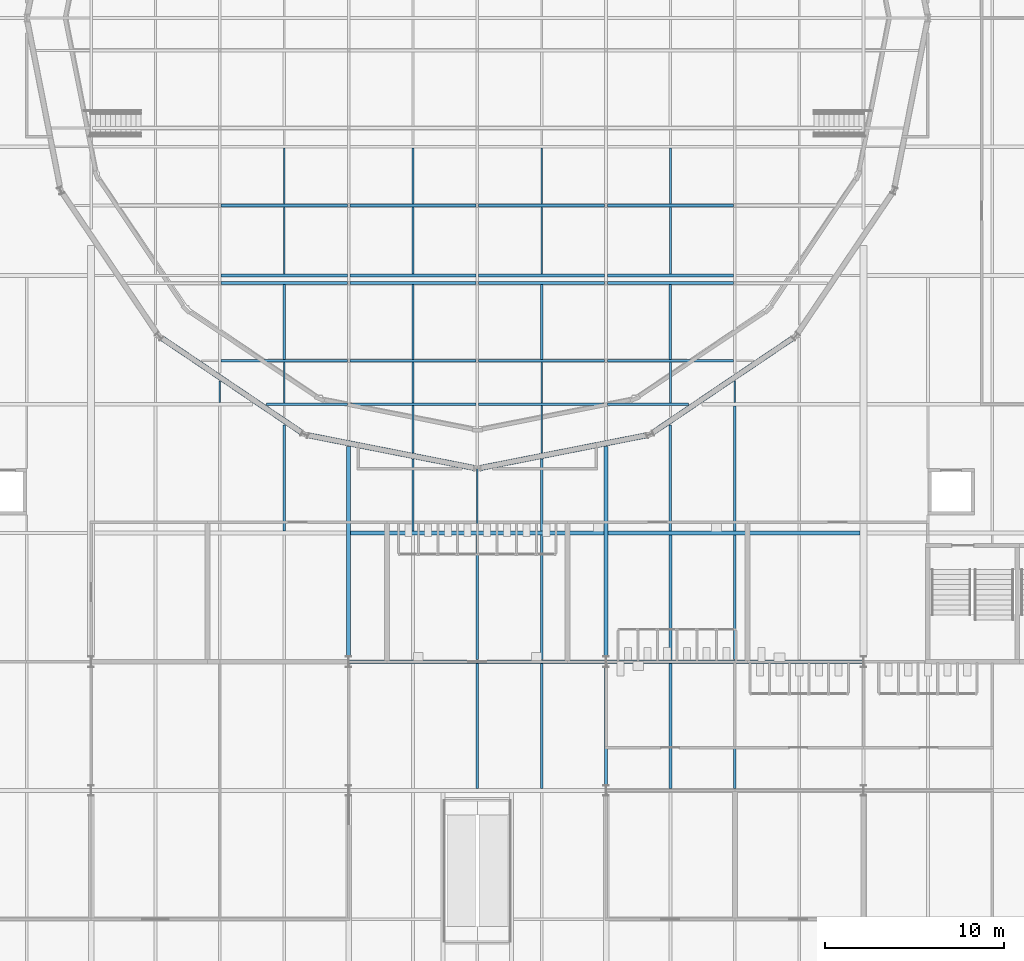
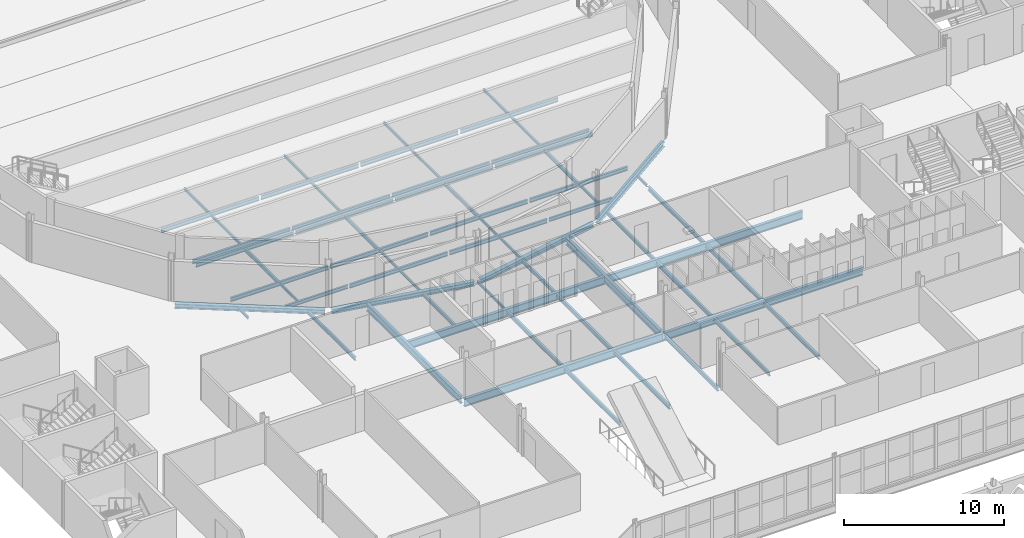
# One storey, part 30 of 90: 65 beams.
"""IFC4 building model written with IfcOpenShell, lengths in metres."""

from ifc_helpers import new_model, si_unit, direction, frame, origin, origin_2d, place, context, subcontext, project, spatial, i_section, extrude, material, material_profile, profile_set, type_object, element, save


model = new_model("IFC4")

# Units and contexts
model_context = context("Model", 3, precision=1e-05, world=origin(), true_north=direction((0.0, 1.0)))
body_context = subcontext(model_context, "Body", "Model", "MODEL_VIEW")
ifc_project = project(units=[si_unit("LENGTHUNIT", "METRE"), si_unit("AREAUNIT", "SQUARE_METRE"), si_unit("VOLUMEUNIT", "CUBIC_METRE"), si_unit("PLANEANGLEUNIT", "RADIAN"), si_unit("MASSUNIT", "GRAM", prefix="KILO")], contexts=[model_context])

# Site, building, storey
site_placement = place(None, origin())
site = spatial("IfcSite", under=ifc_project, at=site_placement, CompositionType="ELEMENT")
building_placement = place(site_placement, origin())
building = spatial("IfcBuilding", under=site, at=building_placement, Name="Kupolbacken Congress Centre", CompositionType="ELEMENT")
storey_placement = place(building_placement, frame((0.0, 0.0, 3.60009765625)))
storey = spatial("IfcBuildingStorey", under=building, at=storey_placement, Name="L01", CompositionType="ELEMENT", Elevation=3.60009765625)

# Beams
ifc_material_1 = material(Name="Steel S355", Category="steel")
ifc_material_profile_1 = material_profile(ifc_material_1, i_section(OverallWidth=0.10009765625, OverallDepth=0.199951171875, WebThickness=0.005615234375, FlangeThickness=0.008544921875, FilletRadius=0.011962890625, at=origin_2d()), Name="IPE 200")
ifc_profile_set_1 = profile_set([ifc_material_profile_1], Name="Steel S355")
beam_type_1 = type_object("IfcBeamType", Name="B01 beam IPE 200", PredefinedType="BEAM", material=ifc_profile_set_1)
beam_1_placement = place(storey_placement, frame((28.800048828125, 64.889892578125, -0.2900390625), z_axis=(0.0, 1.0, 0.0), x_axis=(-1.0, 0.0, 0.0)))
element("IfcBeam", 1, at=beam_1_placement, inside=storey, type_object=beam_type_1, Name="S/floor/P/L01/S104", PredefinedType="BEAM", context=body_context, shape_type="SweptSolid", body=[
    extrude(i_section(OverallWidth=0.10009765625, OverallDepth=0.199951171875, WebThickness=0.005615234375, FlangeThickness=0.008544921875, FilletRadius=0.011962890625, at=origin_2d()), origin(), (0.0, 0.0, 1.0), 1.200927734375),
])
beam_2_placement = place(storey_placement, frame((43.199951171875, 57.7099609375, -0.2900390625), z_axis=(0.0, 1.0, 0.0), x_axis=(-1.0, 0.0, 0.0)))
element("IfcBeam", 2, at=beam_2_placement, inside=storey, type_object=beam_type_1, Name="S/floor/P/L01/S117", PredefinedType="BEAM", context=body_context, shape_type="SweptSolid", body=[
    extrude(i_section(OverallWidth=0.10009765625, OverallDepth=0.199951171875, WebThickness=0.005615234375, FlangeThickness=0.008544921875, FilletRadius=0.011962890625, at=origin_2d()), origin(), (0.0, 0.0, 1.0), 3.4833984375),
])
beam_3_placement = place(storey_placement, frame((57.60009765625, 64.889892578125, -0.2900390625), z_axis=(0.0, 1.0, 0.0), x_axis=(-1.0, 0.0, 0.0)))
element("IfcBeam", 3, at=beam_3_placement, inside=storey, type_object=beam_type_1, Name="S/floor/P/L01/S130", PredefinedType="BEAM", context=body_context, shape_type="SweptSolid", body=[
    extrude(i_section(OverallWidth=0.10009765625, OverallDepth=0.199951171875, WebThickness=0.005615234375, FlangeThickness=0.008544921875, FilletRadius=0.011962890625, at=origin_2d()), origin(), (0.0, 0.0, 1.0), 1.200927734375),
])
beam_4_placement = place(storey_placement, frame((32.39990234375, 64.867431640625, -0.2900390625), z_axis=(0.0, 1.0, 0.0), x_axis=(-1.0, 0.0, 0.0)))
element("IfcBeam", 4, at=beam_4_placement, inside=storey, type_object=beam_type_1, Name="S/floor/PL/L01/S115", PredefinedType="BEAM", context=body_context, shape_type="SweptSolid", body=[
    extrude(i_section(OverallWidth=0.10009765625, OverallDepth=0.199951171875, WebThickness=0.005615234375, FlangeThickness=0.008544921875, FilletRadius=0.011962890625, at=origin_2d()), origin(), (0.0, 0.0, 1.0), 2.294677734375),
])
beam_5_placement = place(storey_placement, frame((32.39990234375, 72.074951171875, -0.2900390625), z_axis=(0.0, 1.0, 0.0), x_axis=(-1.0, 0.0, 0.0)))
element("IfcBeam", 5, at=beam_5_placement, inside=storey, type_object=beam_type_1, Name="S/floor/PL/L01/S117", PredefinedType="BEAM", context=body_context, shape_type="SweptSolid", body=[
    extrude(i_section(OverallWidth=0.10009765625, OverallDepth=0.199951171875, WebThickness=0.005615234375, FlangeThickness=0.008544921875, FilletRadius=0.011962890625, at=origin_2d()), origin(), (0.0, 0.0, 1.0), 3.761962890625),
])
beam_6_placement = place(storey_placement, frame((32.39990234375, 75.987060546875, -0.2900390625), z_axis=(0.0, 1.0, 0.0), x_axis=(-1.0, 0.0, 0.0)))
element("IfcBeam", 6, at=beam_6_placement, inside=storey, type_object=beam_type_1, Name="S/floor/PL/L01/S118", PredefinedType="BEAM", context=body_context, shape_type="SweptSolid", body=[
    extrude(i_section(OverallWidth=0.10009765625, OverallDepth=0.199951171875, WebThickness=0.005615234375, FlangeThickness=0.008544921875, FilletRadius=0.011962890625, at=origin_2d()), origin(), (0.0, 0.0, 1.0), 3.137939453125),
])
beam_7_placement = place(storey_placement, frame((39.60009765625, 62.071533203125, -0.2900390625), z_axis=(0.0, 1.0, 0.0), x_axis=(-1.0, 0.0, 0.0)))
element("IfcBeam", 7, at=beam_7_placement, inside=storey, type_object=beam_type_1, Name="S/floor/PL/L01/S127", PredefinedType="BEAM", context=body_context, shape_type="SweptSolid", body=[
    extrude(i_section(OverallWidth=0.10009765625, OverallDepth=0.199951171875, WebThickness=0.005615234375, FlangeThickness=0.008544921875, FilletRadius=0.011962890625, at=origin_2d()), origin(), (0.0, 0.0, 1.0), 2.653564453125),
])
beam_8_placement = place(storey_placement, frame((39.60009765625, 64.875, -0.2900390625), z_axis=(0.0, 1.0, 0.0), x_axis=(-1.0, 0.0, 0.0)))
element("IfcBeam", 8, at=beam_8_placement, inside=storey, type_object=beam_type_1, Name="S/floor/PL/L01/S128", PredefinedType="BEAM", context=body_context, shape_type="SweptSolid", body=[
    extrude(i_section(OverallWidth=0.10009765625, OverallDepth=0.199951171875, WebThickness=0.005615234375, FlangeThickness=0.008544921875, FilletRadius=0.011962890625, at=origin_2d()), origin(), (0.0, 0.0, 1.0), 2.287109375),
])
beam_9_placement = place(storey_placement, frame((39.60009765625, 72.074951171875, -0.2900390625), z_axis=(0.0, 1.0, 0.0), x_axis=(-1.0, 0.0, 0.0)))
element("IfcBeam", 9, at=beam_9_placement, inside=storey, type_object=beam_type_1, Name="S/floor/PL/L01/S130", PredefinedType="BEAM", context=body_context, shape_type="SweptSolid", body=[
    extrude(i_section(OverallWidth=0.10009765625, OverallDepth=0.199951171875, WebThickness=0.005615234375, FlangeThickness=0.008544921875, FilletRadius=0.011962890625, at=origin_2d()), origin(), (0.0, 0.0, 1.0), 3.761962890625),
])
beam_10_placement = place(storey_placement, frame((39.60009765625, 75.987060546875, -0.2900390625), z_axis=(0.0, 1.0, 0.0), x_axis=(-1.0, 0.0, 0.0)))
element("IfcBeam", 10, at=beam_10_placement, inside=storey, type_object=beam_type_1, Name="S/floor/PL/L01/S131", PredefinedType="BEAM", context=body_context, shape_type="SweptSolid", body=[
    extrude(i_section(OverallWidth=0.10009765625, OverallDepth=0.199951171875, WebThickness=0.005615234375, FlangeThickness=0.008544921875, FilletRadius=0.011962890625, at=origin_2d()), origin(), (0.0, 0.0, 1.0), 3.137939453125),
])
beam_11_placement = place(storey_placement, frame((46.800048828125, 62.071533203125, -0.2900390625), z_axis=(0.0, 1.0, 0.0), x_axis=(-1.0, 0.0, 0.0)))
element("IfcBeam", 11, at=beam_11_placement, inside=storey, type_object=beam_type_1, Name="S/floor/PL/L01/S140", PredefinedType="BEAM", context=body_context, shape_type="SweptSolid", body=[
    extrude(i_section(OverallWidth=0.10009765625, OverallDepth=0.199951171875, WebThickness=0.005615234375, FlangeThickness=0.008544921875, FilletRadius=0.011962890625, at=origin_2d()), origin(), (0.0, 0.0, 1.0), 2.653564453125),
])
beam_12_placement = place(storey_placement, frame((46.800048828125, 64.875, -0.2900390625), z_axis=(0.0, 1.0, 0.0), x_axis=(-1.0, 0.0, 0.0)))
element("IfcBeam", 12, at=beam_12_placement, inside=storey, type_object=beam_type_1, Name="S/floor/PL/L01/S141", PredefinedType="BEAM", context=body_context, shape_type="SweptSolid", body=[
    extrude(i_section(OverallWidth=0.10009765625, OverallDepth=0.199951171875, WebThickness=0.005615234375, FlangeThickness=0.008544921875, FilletRadius=0.011962890625, at=origin_2d()), origin(), (0.0, 0.0, 1.0), 2.287109375),
])
beam_13_placement = place(storey_placement, frame((46.800048828125, 72.074951171875, -0.2900390625), z_axis=(0.0, 1.0, 0.0), x_axis=(-1.0, 0.0, 0.0)))
element("IfcBeam", 13, at=beam_13_placement, inside=storey, type_object=beam_type_1, Name="S/floor/PL/L01/S143", PredefinedType="BEAM", context=body_context, shape_type="SweptSolid", body=[
    extrude(i_section(OverallWidth=0.10009765625, OverallDepth=0.199951171875, WebThickness=0.005615234375, FlangeThickness=0.008544921875, FilletRadius=0.011962890625, at=origin_2d()), origin(), (0.0, 0.0, 1.0), 3.761962890625),
])
beam_14_placement = place(storey_placement, frame((46.800048828125, 75.987060546875, -0.2900390625), z_axis=(0.0, 1.0, 0.0), x_axis=(-1.0, 0.0, 0.0)))
element("IfcBeam", 14, at=beam_14_placement, inside=storey, type_object=beam_type_1, Name="S/floor/PL/L01/S144", PredefinedType="BEAM", context=body_context, shape_type="SweptSolid", body=[
    extrude(i_section(OverallWidth=0.10009765625, OverallDepth=0.199951171875, WebThickness=0.005615234375, FlangeThickness=0.008544921875, FilletRadius=0.011962890625, at=origin_2d()), origin(), (0.0, 0.0, 1.0), 3.137939453125),
])
beam_15_placement = place(storey_placement, frame((54.0, 64.867431640625, -0.2900390625), z_axis=(0.0, 1.0, 0.0), x_axis=(-1.0, 0.0, 0.0)))
element("IfcBeam", 15, at=beam_15_placement, inside=storey, type_object=beam_type_1, Name="S/floor/PL/L01/S154", PredefinedType="BEAM", context=body_context, shape_type="SweptSolid", body=[
    extrude(i_section(OverallWidth=0.10009765625, OverallDepth=0.199951171875, WebThickness=0.005615234375, FlangeThickness=0.008544921875, FilletRadius=0.011962890625, at=origin_2d()), origin(), (0.0, 0.0, 1.0), 2.294677734375),
])
beam_16_placement = place(storey_placement, frame((54.0, 72.074951171875, -0.2900390625), z_axis=(0.0, 1.0, 0.0), x_axis=(-1.0, 0.0, 0.0)))
element("IfcBeam", 16, at=beam_16_placement, inside=storey, type_object=beam_type_1, Name="S/floor/PL/L01/S156", PredefinedType="BEAM", context=body_context, shape_type="SweptSolid", body=[
    extrude(i_section(OverallWidth=0.10009765625, OverallDepth=0.199951171875, WebThickness=0.005615234375, FlangeThickness=0.008544921875, FilletRadius=0.011962890625, at=origin_2d()), origin(), (0.0, 0.0, 1.0), 3.761962890625),
])
beam_17_placement = place(storey_placement, frame((54.0, 75.987060546875, -0.2900390625), z_axis=(0.0, 1.0, 0.0), x_axis=(-1.0, 0.0, 0.0)))
element("IfcBeam", 17, at=beam_17_placement, inside=storey, type_object=beam_type_1, Name="S/floor/PL/L01/S157", PredefinedType="BEAM", context=body_context, shape_type="SweptSolid", body=[
    extrude(i_section(OverallWidth=0.10009765625, OverallDepth=0.199951171875, WebThickness=0.005615234375, FlangeThickness=0.008544921875, FilletRadius=0.011962890625, at=origin_2d()), origin(), (0.0, 0.0, 1.0), 3.137939453125),
])
ifc_material_2 = material(Name="Steel S355", Category="steel")
ifc_material_profile_2 = material_profile(ifc_material_2, i_section(OverallWidth=0.135009765625, OverallDepth=0.27001953125, WebThickness=0.006591796875, FlangeThickness=0.01025390625, FilletRadius=0.014892578125, at=origin_2d()), Name="IPE 270")
ifc_profile_set_2 = profile_set([ifc_material_profile_2], Name="Steel S355")
beam_type_2 = type_object("IfcBeamType", Name="B03 beam IPE 270", PredefinedType="BEAM", material=ifc_profile_set_2)
beam_18_placement = place(storey_placement, frame((32.39990234375, 57.7099609375, -0.3251953125), z_axis=(0.0, 1.0, 0.0), x_axis=(-1.0, 0.0, 0.0)))
element("IfcBeam", 18, at=beam_18_placement, inside=storey, type_object=beam_type_2, Name="S/floor/P/L01/S109", PredefinedType="BEAM", context=body_context, shape_type="SweptSolid", body=[
    extrude(i_section(OverallWidth=0.135009765625, OverallDepth=0.27001953125, WebThickness=0.006591796875, FlangeThickness=0.01025390625, FilletRadius=0.014892578125, at=origin_2d()), origin(), (0.0, 0.0, 1.0), 5.939697265625),
])
for number, where, z_axis, x_axis, name in (
    (19, (39.60009765625, 57.7099609375, -0.3251953125), (0.0, 1.0, 0.0), (-1.0, 0.0, 0.0), "S/floor/P/L01/S113"),
    (20, (46.800048828125, 57.7099609375, -0.3251953125), (0.0, 1.0, 0.0), (-1.0, 0.0, 0.0), "S/floor/P/L01/S121"),
):
    element("IfcBeam", number, at=place(storey_placement, frame(where, z_axis=z_axis, x_axis=x_axis)), inside=storey, type_object=beam_type_2, Name=name, PredefinedType="BEAM", context=body_context, shape_type="SweptSolid", body=[
        extrude(i_section(OverallWidth=0.135009765625, OverallDepth=0.27001953125, WebThickness=0.006591796875, FlangeThickness=0.01025390625, FilletRadius=0.014892578125, at=origin_2d()), origin(), (0.0, 0.0, 1.0), 4.03271484375),
    ])
beam_19_placement = place(storey_placement, frame((54.0, 57.7099609375, -0.3251953125), z_axis=(0.0, 1.0, 0.0), x_axis=(-1.0, 0.0, 0.0)))
element("IfcBeam", 21, at=beam_19_placement, inside=storey, type_object=beam_type_2, Name="S/floor/P/L01/S125", PredefinedType="BEAM", context=body_context, shape_type="SweptSolid", body=[
    extrude(i_section(OverallWidth=0.135009765625, OverallDepth=0.27001953125, WebThickness=0.006591796875, FlangeThickness=0.01025390625, FilletRadius=0.014892578125, at=origin_2d()), origin(), (0.0, 0.0, 1.0), 5.939697265625),
])
for number, where, z_axis, x_axis, name in (
    (22, (31.399169921875, 64.800048828125, -0.3251953125), (1.0, 0.0, 0.0), (0.0, 1.0, 0.0), "S/floor/PL/L01/R008"),
    (23, (50.47509765625, 64.800048828125, -0.3251953125), (1.0, 0.0, 0.0), (0.0, 1.0, 0.0), "S/floor/PL/L01/R011"),
):
    element("IfcBeam", number, at=place(storey_placement, frame(where, z_axis=z_axis, x_axis=x_axis)), inside=storey, type_object=beam_type_2, Name=name, PredefinedType="BEAM", context=body_context, shape_type="SweptSolid", body=[
        extrude(i_section(OverallWidth=0.135009765625, OverallDepth=0.27001953125, WebThickness=0.006591796875, FlangeThickness=0.01025390625, FilletRadius=0.014892578125, at=origin_2d()), origin(), (0.0, 0.0, 1.0), 4.52587890625),
    ])
for number, where, z_axis, x_axis, name in (
    (24, (32.39990234375, 67.31201171875, -0.3251953125), (0.0, 1.0, 0.0), (-1.0, 0.0, 0.0), "S/floor/PL/L01/S116"),
    (25, (39.60009765625, 67.31201171875, -0.3251953125), (0.0, 1.0, 0.0), (-1.0, 0.0, 0.0), "S/floor/PL/L01/S129"),
    (26, (46.800048828125, 67.31201171875, -0.3251953125), (0.0, 1.0, 0.0), (-1.0, 0.0, 0.0), "S/floor/PL/L01/S142"),
    (27, (54.0, 67.31201171875, -0.3251953125), (0.0, 1.0, 0.0), (-1.0, 0.0, 0.0), "S/floor/PL/L01/S155"),
):
    element("IfcBeam", number, at=place(storey_placement, frame(where, z_axis=z_axis, x_axis=x_axis)), inside=storey, type_object=beam_type_2, Name=name, PredefinedType="BEAM", context=body_context, shape_type="SweptSolid", body=[
        extrude(i_section(OverallWidth=0.135009765625, OverallDepth=0.27001953125, WebThickness=0.006591796875, FlangeThickness=0.01025390625, FilletRadius=0.014892578125, at=origin_2d()), origin(), (0.0, 0.0, 1.0), 4.18798828125),
    ])
ifc_material_3 = material(Name="Steel S355", Category="steel")
ifc_material_profile_3 = material_profile(ifc_material_3, i_section(OverallWidth=0.14990234375, OverallDepth=0.300048828125, WebThickness=0.007080078125, FlangeThickness=0.0107421875, FilletRadius=0.014892578125, at=origin_2d()), Name="IPE 300")
ifc_profile_set_3 = profile_set([ifc_material_profile_3], Name="Steel S355")
beam_type_3 = type_object("IfcBeamType", Name="B04 beam IPE 300", PredefinedType="BEAM", material=ifc_profile_set_3)
beam_20_placement = place(storey_placement, frame((50.39990234375, 43.5, -0.330078125), z_axis=(0.0, 1.0, 0.0), x_axis=(-1.0, 0.0, 0.0)))
element("IfcBeam", 28, at=beam_20_placement, inside=storey, type_object=beam_type_3, Name="S/floor/F/L01/G009", PredefinedType="BEAM", context=body_context, shape_type="SweptSolid", body=[
    extrude(i_section(OverallWidth=0.14990234375, OverallDepth=0.300048828125, WebThickness=0.007080078125, FlangeThickness=0.0107421875, FilletRadius=0.014892578125, at=origin_2d()), origin(), (0.0, 0.0, 1.0), 6.60009765625),
])
for number, where, z_axis, x_axis, name in (
    (29, (43.199951171875, 43.31005859375, -0.330078125), (0.0, 1.0, 0.0), (-1.0, 0.0, 0.0), "S/floor/F/L01/S062"),
    (30, (46.800048828125, 43.31005859375, -0.330078125), (0.0, 1.0, 0.0), (-1.0, 0.0, 0.0), "S/floor/F/L01/S065"),
    (31, (54.0, 43.31005859375, -0.330078125), (0.0, 1.0, 0.0), (-1.0, 0.0, 0.0), "S/floor/F/L01/S068"),
    (32, (57.60009765625, 43.31005859375, -0.330078125), (0.0, 1.0, 0.0), (-1.0, 0.0, 0.0), "S/floor/F/L01/S071"),
    (33, (43.199951171875, 50.510009765625, -0.340087890625), (0.0, 1.0, 0.0), (-1.0, 0.0, 0.0), "S/floor/P/L01/S116"),
    (34, (46.800048828125, 50.510009765625, -0.340087890625), (0.0, 1.0, 0.0), (-1.0, 0.0, 0.0), "S/floor/P/L01/S120"),
    (35, (54.0, 50.510009765625, -0.340087890625), (0.0, 1.0, 0.0), (-1.0, 0.0, 0.0), "S/floor/P/L01/S124"),
    (36, (57.60009765625, 50.510009765625, -0.340087890625), (0.0, 1.0, 0.0), (-1.0, 0.0, 0.0), "S/floor/P/L01/S128"),
):
    element("IfcBeam", number, at=place(storey_placement, frame(where, z_axis=z_axis, x_axis=x_axis)), inside=storey, type_object=beam_type_3, Name=name, PredefinedType="BEAM", context=body_context, shape_type="SweptSolid", body=[
        extrude(i_section(OverallWidth=0.14990234375, OverallDepth=0.300048828125, WebThickness=0.007080078125, FlangeThickness=0.0107421875, FilletRadius=0.014892578125, at=origin_2d()), origin(), (0.0, 0.0, 1.0), 6.97998046875),
    ])
beam_21_placement = place(storey_placement, frame((57.60009765625, 57.7099609375, -0.340087890625), z_axis=(0.0, 1.0, 0.0), x_axis=(-1.0, 0.0, 0.0)))
element("IfcBeam", 37, at=beam_21_placement, inside=storey, type_object=beam_type_3, Name="S/floor/P/L01/S129", PredefinedType="BEAM", context=body_context, shape_type="SweptSolid", body=[
    extrude(i_section(OverallWidth=0.14990234375, OverallDepth=0.300048828125, WebThickness=0.007080078125, FlangeThickness=0.0107421875, FilletRadius=0.014892578125, at=origin_2d()), origin(), (0.0, 0.0, 1.0), 7.0),
])
for number, where, z_axis, x_axis, name in (
    (38, (36.074951171875, 64.800048828125, -0.340087890625), (1.0, 0.0, 0.0), (0.0, 1.0, 0.0), "S/floor/PL/L01/R009"),
    (39, (43.27490234375, 64.800048828125, -0.340087890625), (1.0, 0.0, 0.0), (0.0, 1.0, 0.0), "S/floor/PL/L01/R010"),
    (40, (28.875, 72.0, -0.340087890625), (1.0, 0.0, 0.0), (0.0, 1.0, 0.0), "S/floor/PL/L01/R013"),
    (41, (36.074951171875, 72.0, -0.340087890625), (1.0, 0.0, 0.0), (0.0, 1.0, 0.0), "S/floor/PL/L01/R014"),
    (42, (43.27490234375, 72.0, -0.340087890625), (1.0, 0.0, 0.0), (0.0, 1.0, 0.0), "S/floor/PL/L01/R015"),
):
    element("IfcBeam", number, at=place(storey_placement, frame(where, z_axis=z_axis, x_axis=x_axis)), inside=storey, type_object=beam_type_3, Name=name, PredefinedType="BEAM", context=body_context, shape_type="SweptSolid", body=[
        extrude(i_section(OverallWidth=0.14990234375, OverallDepth=0.300048828125, WebThickness=0.007080078125, FlangeThickness=0.0107421875, FilletRadius=0.014892578125, at=origin_2d()), origin(), (0.0, 0.0, 1.0), 7.050048828125),
    ])
beam_22_placement = place(storey_placement, frame((50.47509765625, 72.0, -0.340087890625), z_axis=(1.0, 0.0, 0.0), x_axis=(0.0, 1.0, 0.0)))
element("IfcBeam", 43, at=beam_22_placement, inside=storey, type_object=beam_type_3, Name="S/floor/PL/L01/R016", PredefinedType="BEAM", context=body_context, shape_type="SweptSolid", body=[
    extrude(i_section(OverallWidth=0.14990234375, OverallDepth=0.300048828125, WebThickness=0.007080078125, FlangeThickness=0.0107421875, FilletRadius=0.014892578125, at=origin_2d()), origin(), (0.0, 0.0, 1.0), 7.0498046875),
])
for number, where, z_axis, x_axis, name in (
    (44, (28.875, 75.912109375, -0.340087890625), (1.0, 0.0, 0.0), (0.0, 1.0, 0.0), "S/floor/PL/L01/R086"),
    (45, (36.074951171875, 75.912109375, -0.340087890625), (1.0, 0.0, 0.0), (0.0, 1.0, 0.0), "S/floor/PL/L01/R087"),
    (46, (43.27490234375, 75.912109375, -0.340087890625), (1.0, 0.0, 0.0), (0.0, 1.0, 0.0), "S/floor/PL/L01/R088"),
):
    element("IfcBeam", number, at=place(storey_placement, frame(where, z_axis=z_axis, x_axis=x_axis)), inside=storey, type_object=beam_type_3, Name=name, PredefinedType="BEAM", context=body_context, shape_type="SweptSolid", body=[
        extrude(i_section(OverallWidth=0.14990234375, OverallDepth=0.300048828125, WebThickness=0.007080078125, FlangeThickness=0.0107421875, FilletRadius=0.014892578125, at=origin_2d()), origin(), (0.0, 0.0, 1.0), 7.050048828125),
    ])
beam_23_placement = place(storey_placement, frame((50.47509765625, 75.912109375, -0.340087890625), z_axis=(1.0, 0.0, 0.0), x_axis=(0.0, 1.0, 0.0)))
element("IfcBeam", 47, at=beam_23_placement, inside=storey, type_object=beam_type_3, Name="S/floor/PL/L01/R089", PredefinedType="BEAM", context=body_context, shape_type="SweptSolid", body=[
    extrude(i_section(OverallWidth=0.14990234375, OverallDepth=0.300048828125, WebThickness=0.007080078125, FlangeThickness=0.0107421875, FilletRadius=0.014892578125, at=origin_2d()), origin(), (0.0, 0.0, 1.0), 7.0498046875),
])
for number, where, z_axis, x_axis, name in (
    (48, (28.875, 71.574951171875, -0.340087890625), (1.0, 0.0, 0.0), (0.0, 1.0, 0.0), "S/floor/PL/L01/R093"),
    (49, (36.074951171875, 71.574951171875, -0.340087890625), (1.0, 0.0, 0.0), (0.0, 1.0, 0.0), "S/floor/PL/L01/R094"),
    (50, (43.27490234375, 71.574951171875, -0.340087890625), (1.0, 0.0, 0.0), (0.0, 1.0, 0.0), "S/floor/PL/L01/R095"),
):
    element("IfcBeam", number, at=place(storey_placement, frame(where, z_axis=z_axis, x_axis=x_axis)), inside=storey, type_object=beam_type_3, Name=name, PredefinedType="BEAM", context=body_context, shape_type="SweptSolid", body=[
        extrude(i_section(OverallWidth=0.14990234375, OverallDepth=0.300048828125, WebThickness=0.007080078125, FlangeThickness=0.0107421875, FilletRadius=0.014892578125, at=origin_2d()), origin(), (0.0, 0.0, 1.0), 7.050048828125),
    ])
beam_24_placement = place(storey_placement, frame((50.47509765625, 71.574951171875, -0.340087890625), z_axis=(1.0, 0.0, 0.0), x_axis=(0.0, 1.0, 0.0)))
element("IfcBeam", 51, at=beam_24_placement, inside=storey, type_object=beam_type_3, Name="S/floor/PL/L01/R096", PredefinedType="BEAM", context=body_context, shape_type="SweptSolid", body=[
    extrude(i_section(OverallWidth=0.14990234375, OverallDepth=0.300048828125, WebThickness=0.007080078125, FlangeThickness=0.0107421875, FilletRadius=0.014892578125, at=origin_2d()), origin(), (0.0, 0.0, 1.0), 7.0498046875),
])
for number, where, z_axis, x_axis, name in (
    (52, (28.875, 67.237060546875, -0.340087890625), (1.0, 0.0, 0.0), (0.0, 1.0, 0.0), "S/floor/PL/L01/R099"),
    (53, (36.074951171875, 67.237060546875, -0.340087890625), (1.0, 0.0, 0.0), (0.0, 1.0, 0.0), "S/floor/PL/L01/R100"),
    (54, (43.27490234375, 67.237060546875, -0.340087890625), (1.0, 0.0, 0.0), (0.0, 1.0, 0.0), "S/floor/PL/L01/R101"),
):
    element("IfcBeam", number, at=place(storey_placement, frame(where, z_axis=z_axis, x_axis=x_axis)), inside=storey, type_object=beam_type_3, Name=name, PredefinedType="BEAM", context=body_context, shape_type="SweptSolid", body=[
        extrude(i_section(OverallWidth=0.14990234375, OverallDepth=0.300048828125, WebThickness=0.007080078125, FlangeThickness=0.0107421875, FilletRadius=0.014892578125, at=origin_2d()), origin(), (0.0, 0.0, 1.0), 7.050048828125),
    ])
beam_25_placement = place(storey_placement, frame((50.47509765625, 67.237060546875, -0.340087890625), z_axis=(1.0, 0.0, 0.0), x_axis=(0.0, 1.0, 0.0)))
element("IfcBeam", 55, at=beam_25_placement, inside=storey, type_object=beam_type_3, Name="S/floor/PL/L01/R102", PredefinedType="BEAM", context=body_context, shape_type="SweptSolid", body=[
    extrude(i_section(OverallWidth=0.14990234375, OverallDepth=0.300048828125, WebThickness=0.007080078125, FlangeThickness=0.0107421875, FilletRadius=0.014892578125, at=origin_2d()), origin(), (0.0, 0.0, 1.0), 7.0498046875),
])
ifc_material_4 = material(Name="Steel S355", Category="steel")
ifc_material_profile_4 = material_profile(ifc_material_4, i_section(OverallWidth=0.2099609375, OverallDepth=0.550048828125, WebThickness=0.010986328125, FlangeThickness=0.01708984375, FilletRadius=0.02392578125, at=origin_2d()), Name="IPE 550")
ifc_profile_set_4 = profile_set([ifc_material_profile_4], Name="Steel S355")
beam_type_4 = type_object("IfcBeamType", Name="B10 beam IPE 550", PredefinedType="BEAM", material=ifc_profile_set_4)
for number, where, z_axis, x_axis, name in (
    (56, (36.0, 50.699951171875, -0.465087890625), (0.0, 1.0, 0.0), (-1.0, 0.0, 0.0), "S/floor/P/L01/G025"),
    (57, (50.39990234375, 50.699951171875, -0.465087890625), (0.0, 1.0, 0.0), (-1.0, 0.0, 0.0), "S/floor/P/L01/G027"),
):
    element("IfcBeam", number, at=place(storey_placement, frame(where, z_axis=z_axis, x_axis=x_axis)), inside=storey, type_object=beam_type_4, Name=name, PredefinedType="BEAM", context=body_context, shape_type="SweptSolid", body=[
        extrude(i_section(OverallWidth=0.2099609375, OverallDepth=0.550048828125, WebThickness=0.010986328125, FlangeThickness=0.01708984375, FilletRadius=0.02392578125, at=origin_2d()), origin(), (0.0, 0.0, 1.0), 11.744140625),
    ])
ifc_material_5 = material(Name="Steel S355", Category="steel")
ifc_material_profile_5 = material_profile(ifc_material_5, i_section(OverallWidth=0.219970703125, OverallDepth=0.60009765625, WebThickness=0.011962890625, FlangeThickness=0.01904296875, FilletRadius=0.02392578125, at=origin_2d()), Name="IPE 600")
ifc_profile_set_5 = profile_set([ifc_material_profile_5], Name="Steel S355")
beam_type_5 = type_object("IfcBeamType", Name="B11 beam IPE 600", PredefinedType="BEAM", material=ifc_profile_set_5)
for number, where, z_axis, x_axis, name in (
    (58, (36.0078125, 50.39990234375, -0.47998046875), (1.0, 0.0, 0.0), (0.0, 1.0, 0.0), "S/floor/F/L01/R027"),
    (59, (50.40771484375, 50.39990234375, -0.47998046875), (1.0, 0.0, 0.0), (0.0, 1.0, 0.0), "S/floor/F/L01/R028"),
):
    element("IfcBeam", number, at=place(storey_placement, frame(where, z_axis=z_axis, x_axis=x_axis)), inside=storey, type_object=beam_type_5, Name=name, PredefinedType="BEAM", context=body_context, shape_type="SweptSolid", body=[
        extrude(i_section(OverallWidth=0.219970703125, OverallDepth=0.60009765625, WebThickness=0.011962890625, FlangeThickness=0.01904296875, FilletRadius=0.02392578125, at=origin_2d()), origin(), (0.0, 0.0, 1.0), 14.384521484375),
    ])
beam_26_placement = place(storey_placement, frame((36.10498046875, 57.60009765625, -0.489990234375), z_axis=(1.0, 0.0, 0.0), x_axis=(0.0, 1.0, 0.0)))
element("IfcBeam", 60, at=beam_26_placement, inside=storey, type_object=beam_type_5, Name="S/floor/P/L01/R040", PredefinedType="BEAM", context=body_context, shape_type="SweptSolid", body=[
    extrude(i_section(OverallWidth=0.219970703125, OverallDepth=0.60009765625, WebThickness=0.011962890625, FlangeThickness=0.01904296875, FilletRadius=0.02392578125, at=origin_2d()), origin(), (0.0, 0.0, 1.0), 14.18994140625),
])
beam_27_placement = place(storey_placement, frame((50.5048828125, 57.60009765625, -0.489990234375), z_axis=(1.0, 0.0, 0.0), x_axis=(0.0, 1.0, 0.0)))
element("IfcBeam", 61, at=beam_27_placement, inside=storey, type_object=beam_type_5, Name="S/floor/P/L01/R041", PredefinedType="BEAM", context=body_context, shape_type="SweptSolid", body=[
    extrude(i_section(OverallWidth=0.219970703125, OverallDepth=0.60009765625, WebThickness=0.011962890625, FlangeThickness=0.01904296875, FilletRadius=0.02392578125, at=origin_2d()), origin(), (0.0, 0.0, 1.0), 14.09521484375),
])
ifc_material_6 = material(Name="Steel S355", Category="steel")
ifc_material_profile_6 = material_profile(ifc_material_6, i_section(OverallWidth=0.300048828125, OverallDepth=0.35009765625, WebThickness=0.010009765625, FlangeThickness=0.017578125, FilletRadius=0.027099609375, at=origin_2d()), Name="HEA 360")
ifc_profile_set_6 = profile_set([ifc_material_profile_6], Name="Steel S355")
beam_type_6 = type_object("IfcBeamType", Name="B13 beam HEA 360", PredefinedType="BEAM", material=ifc_profile_set_6)
beam_28_placement = place(storey_placement, frame((25.56884765625, 68.486083984375, -0.364990234375), z_axis=(0.828904528397, -0.55939009895, 0.0), x_axis=(0.55939009895, 0.828904528397, 0.0)))
element("IfcBeam", 62, at=beam_28_placement, inside=storey, type_object=beam_type_6, Name="S/floor/P/L01/C011", PredefinedType="BEAM", context=body_context, shape_type="SweptSolid", body=[
    extrude(i_section(OverallWidth=0.300048828125, OverallDepth=0.35009765625, WebThickness=0.010009765625, FlangeThickness=0.017578125, FilletRadius=0.027099609375, at=origin_2d()), origin(), (0.0, 0.0, 1.0), 9.424560546875),
])
beam_29_placement = place(storey_placement, frame((33.750244140625, 63.060546875, -0.364990234375), z_axis=(0.981160993376, -0.193191886678, 0.0), x_axis=(0.193191886678, 0.981160993376, 0.0)))
element("IfcBeam", 63, at=beam_29_placement, inside=storey, type_object=beam_type_6, Name="S/floor/P/L01/C012", PredefinedType="BEAM", context=body_context, shape_type="SweptSolid", body=[
    extrude(i_section(OverallWidth=0.300048828125, OverallDepth=0.35009765625, WebThickness=0.010009765625, FlangeThickness=0.017578125, FilletRadius=0.027099609375, at=origin_2d()), origin(), (0.0, 0.0, 1.0), 9.42724609375),
])
beam_30_placement = place(storey_placement, frame((43.39990234375, 61.2392578125, -0.364990234375), z_axis=(0.981161959896, 0.193186977957, 0.0), x_axis=(-0.193186977957, 0.981161959896, 0.0)))
element("IfcBeam", 64, at=beam_30_placement, inside=storey, type_object=beam_type_6, Name="S/floor/P/L01/C013", PredefinedType="BEAM", context=body_context, shape_type="SweptSolid", body=[
    extrude(i_section(OverallWidth=0.300048828125, OverallDepth=0.35009765625, WebThickness=0.010009765625, FlangeThickness=0.017578125, FilletRadius=0.027099609375, at=origin_2d()), origin(), (0.0, 0.0, 1.0), 9.427490234375),
])
beam_31_placement = place(storey_placement, frame((53.019287109375, 63.214111328125, -0.364990234375), z_axis=(0.828896422049, 0.559402110752, 0.0), x_axis=(-0.559402110752, 0.828896422049, 0.0)))
element("IfcBeam", 65, at=beam_31_placement, inside=storey, type_object=beam_type_6, Name="S/floor/P/L01/C014", PredefinedType="BEAM", context=body_context, shape_type="SweptSolid", body=[
    extrude(i_section(OverallWidth=0.300048828125, OverallDepth=0.35009765625, WebThickness=0.010009765625, FlangeThickness=0.017578125, FilletRadius=0.027099609375, at=origin_2d()), origin(), (0.0, 0.0, 1.0), 9.42431640625),
])

save(model, "model.ifc")
